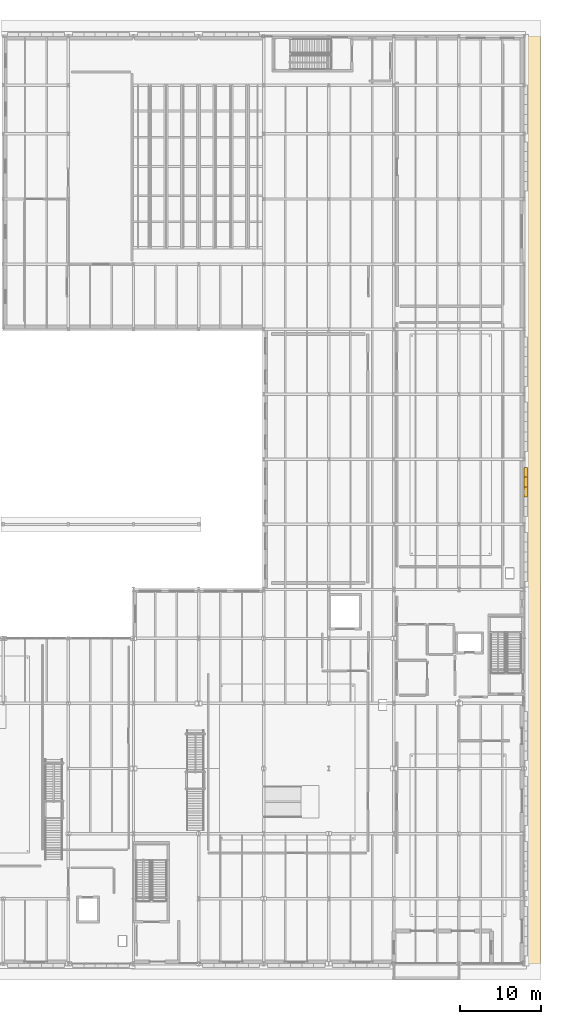
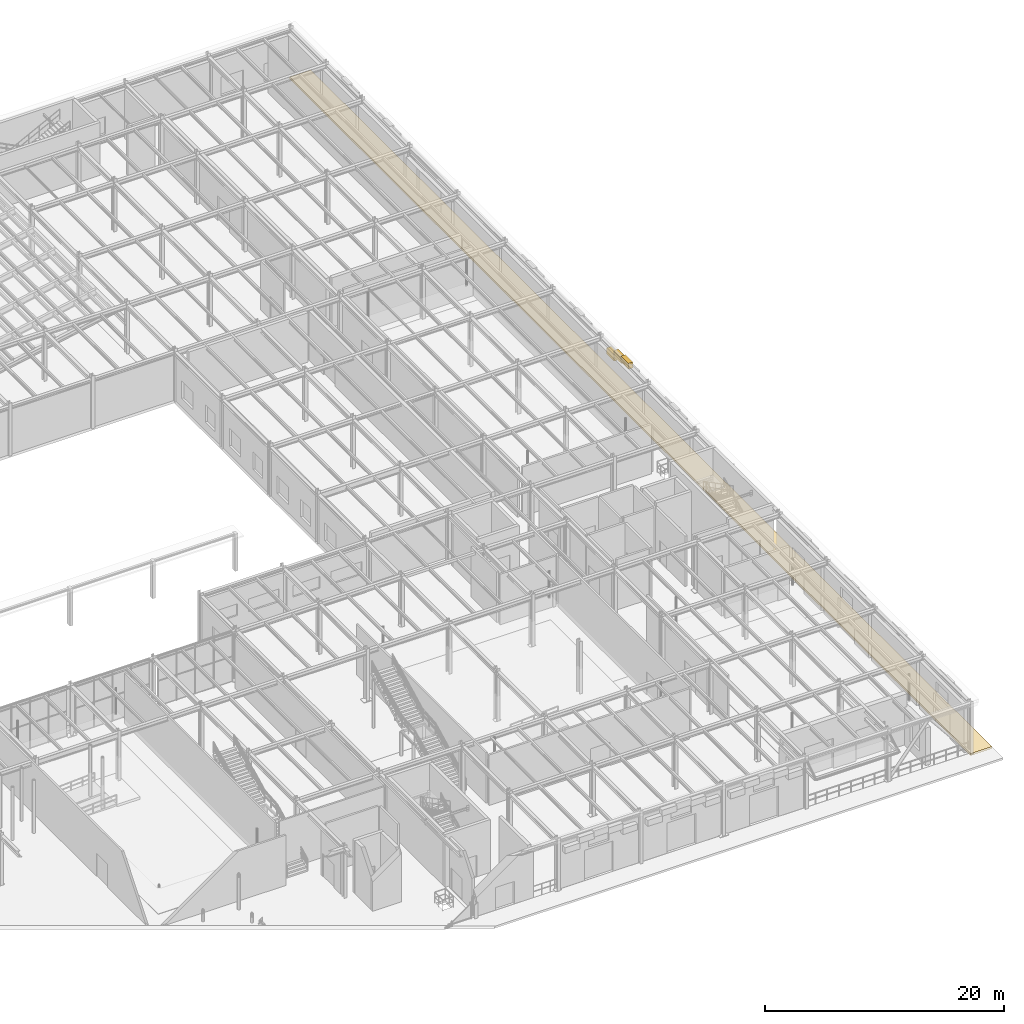
# One storey, part 124 of 129: 4 coverings.
"""IFC4 building model written with IfcOpenShell, lengths in metres."""

from ifc_helpers import new_model, si_unit, direction, frame, origin, origin_2d, place, context, subcontext, project, spatial, polyline, rectangle, outline, extrude, material, layer, layer_set, type_object, element, save


model = new_model("IFC4")

# Units and contexts
model_context = context("Model", 3, precision=1e-05, world=origin(), true_north=direction((0.0, 1.0)))
body_context = subcontext(model_context, "Body", "Model", "MODEL_VIEW")
ifc_project = project(units=[si_unit("LENGTHUNIT", "METRE"), si_unit("AREAUNIT", "SQUARE_METRE"), si_unit("VOLUMEUNIT", "CUBIC_METRE"), si_unit("PLANEANGLEUNIT", "RADIAN"), si_unit("MASSUNIT", "GRAM", prefix="KILO")], contexts=[model_context])

# Site, building, storey
site_placement = place(None, origin())
site = spatial("IfcSite", under=ifc_project, at=site_placement, CompositionType="ELEMENT")
building_placement = place(site_placement, origin())
building = spatial("IfcBuilding", under=site, at=building_placement, Name="Sundkrona Museum", CompositionType="ELEMENT")
storey_placement = place(building_placement, origin())
storey = spatial("IfcBuildingStorey", under=building, at=storey_placement, Name="L00", CompositionType="ELEMENT", Elevation=0.0)

# Coverings
ifc_material = material(Name="Frost-Resistant Vitrified Stoneware Mosaic Cladding", Category="masonry")
ifc_layer = layer(ifc_material, 0.044921875)
ifc_layer_set = layer_set([ifc_layer], Name="Frost-Resistant Vitrified Stoneware Mosaic Cladding")
covering_type = type_object("IfcCoveringType", Name="COV-CLD-MOS", PredefinedType="CLADDING", material=ifc_layer_set)
for number, where, z_axis, x_axis, name in (
    (1, (168.219970703125, 58.0, 4.449951171875), (0.0, 0.0, 1.0), (1.0, 0.0, 0.0), "Catalan Modernisme East Avenue Arch Voussoir 128"),
    (2, (168.219970703125, 59.199951171875, 4.295166015625), (0.0, 0.0, 1.0), (1.0, 0.0, 0.0), "Catalan Modernisme East Avenue Arch Voussoir 129"),
    (3, (168.219970703125, 60.39990234375, 3.8310546875), (0.0, 0.0, 1.0), (1.0, 0.0, 0.0), "Catalan Modernisme East Avenue Arch Voussoir 130"),
):
    element("IfcCovering", number, at=place(storey_placement, frame(where, z_axis=z_axis, x_axis=x_axis)), inside=storey, type_object=covering_type, Name=name, PredefinedType="CLADDING", context=body_context, shape_type="SweptSolid", body=[
        extrude(rectangle(XDim=0.43994140625, YDim=1.25, at=origin_2d()), origin(), (0.0, 0.0, 1.0), 0.60009765625),
    ])
covering_placement = place(storey_placement, frame((0.0, 0.0, -0.219970703125)))
element("IfcCovering", 4, at=covering_placement, inside=storey, type_object=covering_type, Name="Granite Street and Forecourt Civic Plinth (COV-PLN-EAST)", PredefinedType="CLADDING", context=body_context, shape_type="SweptSolid", body=[
    extrude(outline(polyline([(167.949951171875, -0.10009765625), (170.0, -0.10009765625), (170.0, 114.10009765625), (167.949951171875, 114.10009765625), (167.949951171875, -0.10009765625)])), origin(), (0.0, 0.0, 1.0), 0.2099609375),
])

save(model, "model.ifc")
